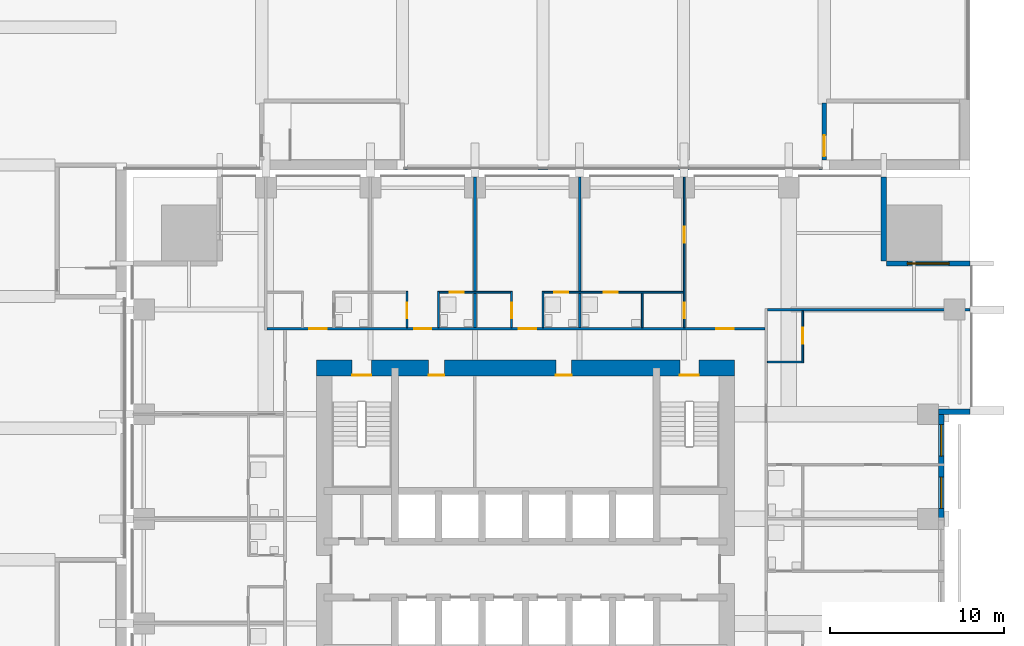
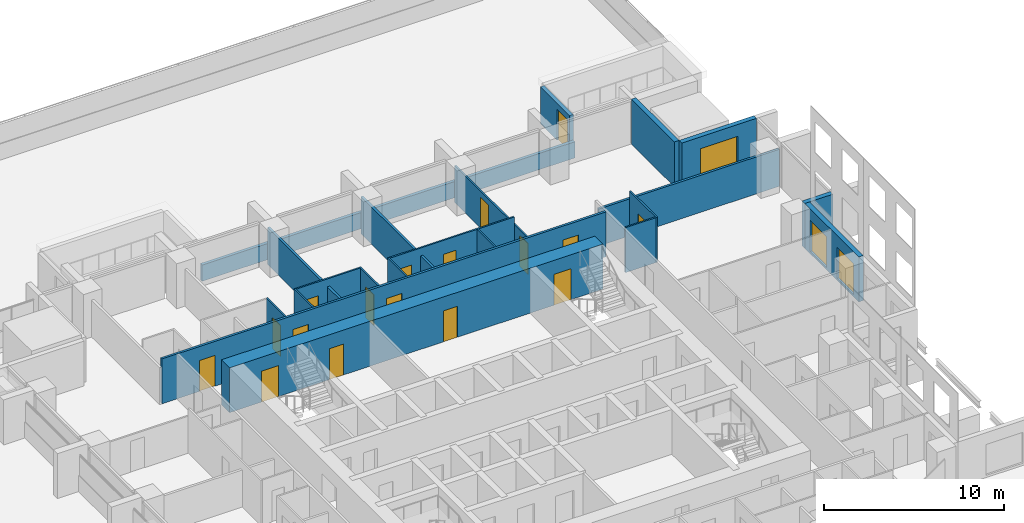
# One storey, part 10 of 15: 21 walls, 17 doors, 3 windows, 20 openings.
"""IFC4 building model written with IfcOpenShell, lengths in metres."""

from ifc_helpers import new_model, si_unit, direction, frame, frame_2d, origin, place, context, subcontext, project, spatial, rectangle, extrude, material, layer, layer_set, type_object, element, fill, save


model = new_model("IFC4")

# Units and contexts
model_context = context("Model", 3, precision=1e-05, world=origin(), true_north=direction((0.0, 1.0)))
body_context = subcontext(model_context, "Body", "Model", "MODEL_VIEW")
ifc_project = project(units=[si_unit("LENGTHUNIT", "METRE"), si_unit("AREAUNIT", "SQUARE_METRE"), si_unit("VOLUMEUNIT", "CUBIC_METRE"), si_unit("PLANEANGLEUNIT", "RADIAN"), si_unit("MASSUNIT", "GRAM", prefix="KILO")], contexts=[model_context])

# Site, building, storey
site_placement = place(None, origin())
site = spatial("IfcSite", under=ifc_project, at=site_placement, CompositionType="ELEMENT")
building_placement = place(site_placement, origin())
building = spatial("IfcBuilding", under=site, at=building_placement, Name="Amberfall Residences", CompositionType="ELEMENT")
storey_placement = place(building_placement, frame((0.0, 0.0, 23.5)))
storey = spatial("IfcBuildingStorey", under=building, at=storey_placement, Name="L05", CompositionType="ELEMENT", Elevation=23.5)

# Wall
ifc_material_1 = material(Name="Pale stone cladding on insulated backing", Category="masonry")
ifc_layer_1 = layer(ifc_material_1, 0.300048828125)
ifc_layer_set_1 = layer_set([ifc_layer_1], Name="Bronze clad wall 300")
wall_type_1 = type_object("IfcWallType", Name="Bronze clad wall 300", PredefinedType="SOLIDWALL", material=ifc_layer_set_1)
wall_1_placement = place(storey_placement, frame((98.199951171875, 54.550048828125, 0.0), z_axis=(0.0, 0.0, 1.0), x_axis=(1.0, 0.0, 0.0)))
element("IfcWall", 1, at=wall_1_placement, inside=storey, type_object=wall_type_1, Name="External wall L05 E", PredefinedType="SOLIDWALL", context=body_context, shape_type="SweptSolid", body=[
    extrude(rectangle(XDim=1.800048828125, YDim=0.300048828125, at=frame_2d((0.89990234375, 0.0))), origin(), (0.0, 0.0, 1.0), 3.050048828125),
])

# Wall, opening, window
wall_2_placement = place(storey_placement, frame((100.0, 63.050048828125, 0.0), z_axis=(0.0, 0.0, 1.0), x_axis=(-1.0, 0.0, 0.0)))
wall_2 = element("IfcWall", 2, at=wall_2_placement, inside=storey, type_object=wall_type_1, Name="External wall L05 NE", PredefinedType="SOLIDWALL", context=body_context, shape_type="SweptSolid", body=[
    extrude(rectangle(XDim=4.800048828125, YDim=0.300048828125, at=frame_2d((2.39990234375, 0.0))), origin(), (0.0, 0.0, 1.0), 3.050048828125),
])
opening_1_placement = place(wall_2_placement, frame((1.199951171875, 0.0, 0.14990234375)))
opening_1 = element("IfcOpeningElement", 3, at=opening_1_placement, cuts=wall_2, Name="Opening WN5", PredefinedType="OPENING", context=body_context, shape_type="SweptSolid", body=[
    extrude(rectangle(XDim=2.39990234375, YDim=2.10009765625, at=frame_2d((1.199951171875, 1.050048828125))), frame((0.0, 0.159912109375, 0.0), z_axis=(0.0, -1.0, 0.0), x_axis=(1.0, 0.0, 0.0)), (0.0, 0.0, 1.0), 0.320068359375),
])
ifc_material_2 = material(Name="Bronze aluminium framed glazing", Category="aluminium")
window_type_1 = type_object("IfcWindowType", Name="Glazed opening 2400 x 2100 bronze", PartitioningType="DOUBLE_PANEL_VERTICAL", PredefinedType="WINDOW", material=ifc_material_2)
window_1_placement = place(opening_1_placement, origin())
window_1 = element("IfcWindow", 4, at=window_1_placement, inside=storey, type_object=window_type_1, Name="Window L05 NE", OverallHeight=2.10009765625, OverallWidth=2.39990234375, PartitioningType="DOUBLE_PANEL_VERTICAL", PredefinedType="WINDOW", context=body_context, shape_type="SweptSolid", body=[
    extrude(rectangle(XDim=2.39990234375, YDim=2.10009765625, at=frame_2d((1.199951171875, 1.050048828125))), frame((0.0, 0.030029296875, 0.0), z_axis=(0.0, -1.0, 0.0), x_axis=(1.0, 0.0, 0.0)), (0.0, 0.0, 1.0), 0.06005859375),
])
fill(opening_1, window_1)

# Wall
wall_3_placement = place(storey_placement, frame((95.050048828125, 63.199951171875, 0.0), z_axis=(0.0, 0.0, 1.0), x_axis=(0.0, 1.0, 0.0)))
element("IfcWall", 5, at=wall_3_placement, inside=storey, type_object=wall_type_1, Name="External wall L05 NE", PredefinedType="SOLIDWALL", context=body_context, shape_type="SweptSolid", body=[
    extrude(rectangle(XDim=4.800048828125, YDim=0.300048828125, at=frame_2d((2.39990234375, 0.0))), origin(), (0.0, 0.0, 1.0), 3.050048828125),
])

# Wall, openings, windows
wall_4_placement = place(storey_placement, frame((98.35009765625, 48.39990234375, 0.0), z_axis=(0.0, 0.0, 1.0), x_axis=(0.0, 1.0, 0.0)))
wall_4 = element("IfcWall", 6, at=wall_4_placement, inside=storey, type_object=wall_type_1, Name="Stone wall L05 E", PredefinedType="SOLIDWALL", context=body_context, shape_type="SweptSolid", body=[
    extrude(rectangle(XDim=6.0, YDim=0.300048828125, at=frame_2d((3.0, 0.0))), origin(), (0.0, 0.0, 1.0), 3.050048828125),
])
opening_2_placement = place(wall_4_placement, frame((0.60009765625, 0.0, 0.14990234375)))
opening_2 = element("IfcOpeningElement", 7, at=opening_2_placement, cuts=wall_4, Name="Opening WN6", PredefinedType="OPENING", context=body_context, shape_type="SweptSolid", body=[
    extrude(rectangle(XDim=1.800048828125, YDim=2.10009765625, at=frame_2d((0.89990234375, 1.050048828125))), frame((0.0, 0.159912109375, 0.0), z_axis=(0.0, -1.0, 0.0), x_axis=(1.0, 0.0, 0.0)), (0.0, 0.0, 1.0), 0.320068359375),
])
opening_3_placement = place(wall_4_placement, frame((3.60009765625, 0.0, 0.14990234375)))
opening_3 = element("IfcOpeningElement", 8, at=opening_3_placement, cuts=wall_4, Name="Opening WN6", PredefinedType="OPENING", context=body_context, shape_type="SweptSolid", body=[
    extrude(rectangle(XDim=1.800048828125, YDim=2.10009765625, at=frame_2d((0.89990234375, 1.050048828125))), frame((0.0, 0.159912109375, 0.0), z_axis=(0.0, -1.0, 0.0), x_axis=(1.0, 0.0, 0.0)), (0.0, 0.0, 1.0), 0.320068359375),
])
window_type_2 = type_object("IfcWindowType", Name="Glazed opening 1800 x 2100 bronze", PartitioningType="DOUBLE_PANEL_VERTICAL", PredefinedType="WINDOW", material=ifc_material_2)
window_2_placement = place(opening_2_placement, origin())
window_2 = element("IfcWindow", 9, at=window_2_placement, inside=storey, type_object=window_type_2, Name="Window L05 E", OverallHeight=2.10009765625, OverallWidth=1.800048828125, PartitioningType="DOUBLE_PANEL_VERTICAL", PredefinedType="WINDOW", context=body_context, shape_type="SweptSolid", body=[
    extrude(rectangle(XDim=1.800048828125, YDim=2.10009765625, at=frame_2d((0.89990234375, 1.050048828125))), frame((0.0, 0.030029296875, 0.0), z_axis=(0.0, -1.0, 0.0), x_axis=(1.0, 0.0, 0.0)), (0.0, 0.0, 1.0), 0.06005859375),
])
fill(opening_2, window_2)
window_3_placement = place(opening_3_placement, origin())
window_3 = element("IfcWindow", 10, at=window_3_placement, inside=storey, type_object=window_type_2, Name="Window L05 E", OverallHeight=2.10009765625, OverallWidth=1.800048828125, PartitioningType="DOUBLE_PANEL_VERTICAL", PredefinedType="WINDOW", context=body_context, shape_type="SweptSolid", body=[
    extrude(rectangle(XDim=1.800048828125, YDim=2.10009765625, at=frame_2d((0.89990234375, 1.050048828125))), frame((0.0, 0.030029296875, 0.0), z_axis=(0.0, -1.0, 0.0), x_axis=(1.0, 0.0, 0.0)), (0.0, 0.0, 1.0), 0.06005859375),
])
fill(opening_3, window_3)

# Wall, openings, doors
ifc_material_3 = material(Name="Concrete C80", Category="concrete")
ifc_layer_2 = layer(ifc_material_3, 0.89990234375)
ifc_layer_set_2 = layer_set([ifc_layer_2], Name="Core wall 900 C80")
wall_type_2 = type_object("IfcWallType", Name="Core wall 900 C80", PredefinedType="SHEAR", material=ifc_layer_set_2)
wall_5_placement = place(storey_placement, frame((62.5, 57.050048828125, 0.0), z_axis=(0.0, 0.0, 1.0), x_axis=(1.0, 0.0, 0.0)))
wall_5 = element("IfcWall", 11, at=wall_5_placement, inside=storey, type_object=wall_type_2, Name="Core wall RW1 L05 ON", PredefinedType="SHEAR", context=body_context, shape_type="SweptSolid", body=[
    extrude(rectangle(XDim=24.0, YDim=0.89990234375, at=frame_2d((12.0, 0.0))), origin(), (0.0, 0.0, 1.0), 3.050048828125),
])
opening_4_placement = place(wall_5_placement, frame((20.85009765625, 0.0, 0.0)))
opening_4 = element("IfcOpeningElement", 12, at=opening_4_placement, cuts=wall_5, Name="Opening SD1", PredefinedType="OPENING", context=body_context, shape_type="SweptSolid", body=[
    extrude(rectangle(XDim=1.10009765625, YDim=2.10009765625, at=frame_2d((0.550048828125, 1.050048828125))), frame((0.0, 0.4599609375, 0.0), z_axis=(0.0, -1.0, 0.0), x_axis=(1.0, 0.0, 0.0)), (0.0, 0.0, 1.0), 0.919921875),
])
opening_5_placement = place(wall_5_placement, frame((2.050048828125, 0.0, 0.0)))
opening_5 = element("IfcOpeningElement", 13, at=opening_5_placement, cuts=wall_5, Name="Opening SD1", PredefinedType="OPENING", context=body_context, shape_type="SweptSolid", body=[
    extrude(rectangle(XDim=1.10009765625, YDim=2.10009765625, at=frame_2d((0.550048828125, 1.050048828125))), frame((0.0, 0.4599609375, 0.0), z_axis=(0.0, -1.0, 0.0), x_axis=(1.0, 0.0, 0.0)), (0.0, 0.0, 1.0), 0.919921875),
])
opening_6_placement = place(wall_5_placement, frame((6.43994140625, 0.0, 0.0)))
opening_6 = element("IfcOpeningElement", 14, at=opening_6_placement, cuts=wall_5, Name="Opening RD1", PredefinedType="OPENING", context=body_context, shape_type="SweptSolid", body=[
    extrude(rectangle(XDim=0.89990234375, YDim=2.10009765625, at=frame_2d((0.449951171875, 1.050048828125))), frame((0.0, 0.4599609375, 0.0), z_axis=(0.0, -1.0, 0.0), x_axis=(1.0, 0.0, 0.0)), (0.0, 0.0, 1.0), 0.919921875),
])
opening_7_placement = place(wall_5_placement, frame((13.739990234375, 0.0, 0.0)))
opening_7 = element("IfcOpeningElement", 15, at=opening_7_placement, cuts=wall_5, Name="Opening RD1", PredefinedType="OPENING", context=body_context, shape_type="SweptSolid", body=[
    extrude(rectangle(XDim=0.89990234375, YDim=2.10009765625, at=frame_2d((0.449951171875, 1.050048828125))), frame((0.0, 0.4599609375, 0.0), z_axis=(0.0, -1.0, 0.0), x_axis=(1.0, 0.0, 0.0)), (0.0, 0.0, 1.0), 0.919921875),
])
ifc_material_4 = material(Name="Steel fire door set", Category="steel")
door_type_1 = type_object("IfcDoorType", Name="Service room door 900 x 2100", OperationType="SINGLE_SWING_LEFT", PredefinedType="DOOR", material=ifc_material_4)
door_1_placement = place(opening_6_placement, origin())
door_1 = element("IfcDoor", 16, at=door_1_placement, inside=storey, type_object=door_type_1, Name="RD1 L05", OperationType="SINGLE_SWING_RIGHT", OverallHeight=2.10009765625, OverallWidth=0.89990234375, PredefinedType="DOOR", context=body_context, shape_type="SweptSolid", body=[
    extrude(rectangle(XDim=0.89990234375, YDim=2.10009765625, at=frame_2d((0.449951171875, 1.050048828125))), frame((0.0, -0.3876953125, 0.0), z_axis=(0.0, -1.0, 0.0), x_axis=(1.0, 0.0, 0.0)), (0.0, 0.0, 1.0), 0.050048828125),
])
fill(opening_6, door_1)
door_2_placement = place(opening_7_placement, origin())
door_2 = element("IfcDoor", 17, at=door_2_placement, inside=storey, type_object=door_type_1, Name="RD1 L05", OperationType="SINGLE_SWING_RIGHT", OverallHeight=2.10009765625, OverallWidth=0.89990234375, PredefinedType="DOOR", context=body_context, shape_type="SweptSolid", body=[
    extrude(rectangle(XDim=0.89990234375, YDim=2.10009765625, at=frame_2d((0.449951171875, 1.050048828125))), frame((0.0, -0.3876953125, 0.0), z_axis=(0.0, -1.0, 0.0), x_axis=(1.0, 0.0, 0.0)), (0.0, 0.0, 1.0), 0.050048828125),
])
fill(opening_7, door_2)
door_type_2 = type_object("IfcDoorType", Name="Stair door 1100 x 2100", OperationType="SINGLE_SWING_LEFT", PredefinedType="DOOR", material=ifc_material_4)
door_3_placement = place(opening_4_placement, origin())
door_3 = element("IfcDoor", 18, at=door_3_placement, inside=storey, type_object=door_type_2, Name="SD1 L05", OperationType="SINGLE_SWING_RIGHT", OverallHeight=2.10009765625, OverallWidth=1.10009765625, PredefinedType="DOOR", context=body_context, shape_type="SweptSolid", body=[
    extrude(rectangle(XDim=1.10009765625, YDim=2.10009765625, at=frame_2d((0.550048828125, 1.050048828125))), frame((0.0, -0.3876953125, 0.0), z_axis=(0.0, -1.0, 0.0), x_axis=(1.0, 0.0, 0.0)), (0.0, 0.0, 1.0), 0.050048828125),
])
fill(opening_4, door_3)
door_4_placement = place(opening_5_placement, origin())
door_4 = element("IfcDoor", 19, at=door_4_placement, inside=storey, type_object=door_type_2, Name="SD1 L05", OperationType="SINGLE_SWING_LEFT", OverallHeight=2.10009765625, OverallWidth=1.10009765625, PredefinedType="DOOR", context=body_context, shape_type="SweptSolid", body=[
    extrude(rectangle(XDim=1.10009765625, YDim=2.10009765625, at=frame_2d((0.550048828125, 1.050048828125))), frame((0.0, -0.3876953125, 0.0), z_axis=(0.0, -1.0, 0.0), x_axis=(1.0, 0.0, 0.0)), (0.0, 0.0, 1.0), 0.050048828125),
])
fill(opening_5, door_4)

# Wall, opening, door
ifc_material_5 = material(Name="Gypsum board on metal stud")
ifc_layer_3 = layer(ifc_material_5, 0.10009765625)
ifc_layer_set_3 = layer_set([ifc_layer_3], Name="Flat partition 100")
wall_type_3 = type_object("IfcWallType", Name="Flat partition 100", PredefinedType="PARTITIONING", material=ifc_layer_set_3)
wall_6_placement = place(storey_placement, frame((67.699951171875, 59.375, 0.0), z_axis=(0.0, 0.0, 1.0), x_axis=(0.0, 1.0, 0.0)))
wall_6 = element("IfcWall", 20, at=wall_6_placement, inside=storey, type_object=wall_type_3, Name="Partition 007", PredefinedType="PARTITIONING", context=body_context, shape_type="SweptSolid", body=[
    extrude(rectangle(XDim=2.074951171875, YDim=0.10009765625, at=frame_2d((1.03759765625, 0.0))), origin(), (0.0, 0.0, 1.0), 3.050048828125),
])
opening_8_placement = place(wall_6_placement, frame((0.52490234375, 0.0, 0.0)))
opening_8 = element("IfcOpeningElement", 21, at=opening_8_placement, cuts=wall_6, Name="Opening D41", PredefinedType="OPENING", context=body_context, shape_type="SweptSolid", body=[
    extrude(rectangle(XDim=0.89990234375, YDim=2.10009765625, at=frame_2d((0.449951171875, 1.050048828125))), frame((0.0, 0.06005859375, 0.0), z_axis=(0.0, -1.0, 0.0), x_axis=(1.0, 0.0, 0.0)), (0.0, 0.0, 1.0), 0.1201171875),
])
ifc_material_6 = material(Name="Timber", Category="wood")
door_type_3 = type_object("IfcDoorType", Name="Internal door 900 x 2100", OperationType="SINGLE_SWING_LEFT", PredefinedType="DOOR", material=ifc_material_6)
door_5_placement = place(opening_8_placement, origin())
door_5 = element("IfcDoor", 22, at=door_5_placement, inside=storey, type_object=door_type_3, Name="Door 0508 kitchen", OperationType="SINGLE_SWING_LEFT", OverallHeight=2.10009765625, OverallWidth=0.89990234375, PredefinedType="DOOR", context=body_context, shape_type="SweptSolid", body=[
    extrude(rectangle(XDim=0.89990234375, YDim=2.10009765625, at=frame_2d((0.449951171875, 1.050048828125))), frame((0.0, 0.02490234375, 0.0), z_axis=(0.0, -1.0, 0.0), x_axis=(1.0, 0.0, 0.0)), (0.0, 0.0, 1.0), 0.050048828125),
])
fill(opening_8, door_5)

# Wall
wall_7_placement = place(storey_placement, frame((69.5, 59.375, 0.0), z_axis=(0.0, 0.0, 1.0), x_axis=(0.0, 1.0, 0.0)))
element("IfcWall", 23, at=wall_7_placement, inside=storey, type_object=wall_type_3, Name="Partition 009", PredefinedType="PARTITIONING", context=body_context, shape_type="SweptSolid", body=[
    extrude(rectangle(XDim=2.074951171875, YDim=0.10009765625, at=frame_2d((1.03759765625, 0.0))), origin(), (0.0, 0.0, 1.0), 3.050048828125),
])

# Wall, opening, door
wall_8_placement = place(storey_placement, frame((73.699951171875, 59.375, 0.0), z_axis=(0.0, 0.0, 1.0), x_axis=(0.0, 1.0, 0.0)))
wall_8 = element("IfcWall", 24, at=wall_8_placement, inside=storey, type_object=wall_type_3, Name="Partition 011", PredefinedType="PARTITIONING", context=body_context, shape_type="SweptSolid", body=[
    extrude(rectangle(XDim=2.074951171875, YDim=0.10009765625, at=frame_2d((1.03759765625, 0.0))), origin(), (0.0, 0.0, 1.0), 3.050048828125),
])
opening_9_placement = place(wall_8_placement, frame((0.52490234375, 0.0, 0.0)))
opening_9 = element("IfcOpeningElement", 25, at=opening_9_placement, cuts=wall_8, Name="Opening D41", PredefinedType="OPENING", context=body_context, shape_type="SweptSolid", body=[
    extrude(rectangle(XDim=0.89990234375, YDim=2.10009765625, at=frame_2d((0.449951171875, 1.050048828125))), frame((0.0, 0.06005859375, 0.0), z_axis=(0.0, -1.0, 0.0), x_axis=(1.0, 0.0, 0.0)), (0.0, 0.0, 1.0), 0.1201171875),
])
door_6_placement = place(opening_9_placement, origin())
door_6 = element("IfcDoor", 26, at=door_6_placement, inside=storey, type_object=door_type_3, Name="Door 0509 kitchen", OperationType="SINGLE_SWING_LEFT", OverallHeight=2.10009765625, OverallWidth=0.89990234375, PredefinedType="DOOR", context=body_context, shape_type="SweptSolid", body=[
    extrude(rectangle(XDim=0.89990234375, YDim=2.10009765625, at=frame_2d((0.449951171875, 1.050048828125))), frame((0.0, 0.02490234375, 0.0), z_axis=(0.0, -1.0, 0.0), x_axis=(1.0, 0.0, 0.0)), (0.0, 0.0, 1.0), 0.050048828125),
])
fill(opening_9, door_6)

# Walls
wall_9_placement = place(storey_placement, frame((75.5, 59.375, 0.0), z_axis=(0.0, 0.0, 1.0), x_axis=(0.0, 1.0, 0.0)))
element("IfcWall", 27, at=wall_9_placement, inside=storey, type_object=wall_type_3, Name="Partition 012", PredefinedType="PARTITIONING", context=body_context, shape_type="SweptSolid", body=[
    extrude(rectangle(XDim=2.074951171875, YDim=0.10009765625, at=frame_2d((1.03759765625, 0.0))), origin(), (0.0, 0.0, 1.0), 3.050048828125),
])
wall_10_placement = place(storey_placement, frame((81.199951171875, 59.375, 0.0), z_axis=(0.0, 0.0, 1.0), x_axis=(0.0, 1.0, 0.0)))
element("IfcWall", 28, at=wall_10_placement, inside=storey, type_object=wall_type_3, Name="Partition 015", PredefinedType="PARTITIONING", context=body_context, shape_type="SweptSolid", body=[
    extrude(rectangle(XDim=1.97509765625, YDim=0.10009765625, at=frame_2d((0.987548828125, 0.0))), origin(), (0.0, 0.0, 1.0), 3.050048828125),
])

# Wall, openings, doors
wall_11_placement = place(storey_placement, frame((83.60009765625, 59.375, 0.0), z_axis=(0.0, 0.0, 1.0), x_axis=(0.0, 1.0, 0.0)))
wall_11 = element("IfcWall", 29, at=wall_11_placement, inside=storey, type_object=wall_type_3, Name="Partition 016", PredefinedType="PARTITIONING", context=body_context, shape_type="SweptSolid", body=[
    extrude(rectangle(XDim=8.625, YDim=0.10009765625, at=frame_2d((4.3125, 0.0))), origin(), (0.0, 0.0, 1.0), 2.51611328125),
])
opening_10_placement = place(wall_11_placement, frame((0.52490234375, 0.0, 0.0)))
opening_10 = element("IfcOpeningElement", 30, at=opening_10_placement, cuts=wall_11, Name="Opening D41", PredefinedType="OPENING", context=body_context, shape_type="SweptSolid", body=[
    extrude(rectangle(XDim=0.89990234375, YDim=2.10009765625, at=frame_2d((0.449951171875, 1.050048828125))), frame((0.0, 0.06005859375, 0.0), z_axis=(0.0, -1.0, 0.0), x_axis=(1.0, 0.0, 0.0)), (0.0, 0.0, 1.0), 0.1201171875),
])
opening_11_placement = place(wall_11_placement, frame((4.875, 0.0, 0.0)))
opening_11 = element("IfcOpeningElement", 31, at=opening_11_placement, cuts=wall_11, Name="Opening D41", PredefinedType="OPENING", context=body_context, shape_type="SweptSolid", body=[
    extrude(rectangle(XDim=0.89990234375, YDim=2.10009765625, at=frame_2d((0.449951171875, 1.050048828125))), frame((0.0, 0.06005859375, 0.0), z_axis=(0.0, -1.0, 0.0), x_axis=(1.0, 0.0, 0.0)), (0.0, 0.0, 1.0), 0.1201171875),
])
door_7_placement = place(opening_10_placement, origin())
door_7 = element("IfcDoor", 32, at=door_7_placement, inside=storey, type_object=door_type_3, Name="Door 0510 kitchen", OperationType="SINGLE_SWING_LEFT", OverallHeight=2.10009765625, OverallWidth=0.89990234375, PredefinedType="DOOR", context=body_context, shape_type="SweptSolid", body=[
    extrude(rectangle(XDim=0.89990234375, YDim=2.10009765625, at=frame_2d((0.449951171875, 1.050048828125))), frame((0.0, 0.02490234375, 0.0), z_axis=(0.0, -1.0, 0.0), x_axis=(1.0, 0.0, 0.0)), (0.0, 0.0, 1.0), 0.050048828125),
])
fill(opening_10, door_7)
door_8_placement = place(opening_11_placement, origin())
door_8 = element("IfcDoor", 33, at=door_8_placement, inside=storey, type_object=door_type_3, Name="Door 0510 bedroom1", OperationType="SINGLE_SWING_LEFT", OverallHeight=2.10009765625, OverallWidth=0.89990234375, PredefinedType="DOOR", context=body_context, shape_type="SweptSolid", body=[
    extrude(rectangle(XDim=0.89990234375, YDim=2.10009765625, at=frame_2d((0.449951171875, 1.050048828125))), frame((0.0, 0.02490234375, 0.0), z_axis=(0.0, -1.0, 0.0), x_axis=(1.0, 0.0, 0.0)), (0.0, 0.0, 1.0), 0.050048828125),
])
fill(opening_11, door_8)

# Wall, opening, door
wall_12_placement = place(storey_placement, frame((90.39990234375, 57.35009765625, 0.0), z_axis=(0.0, 0.0, 1.0), x_axis=(0.0, 1.0, 0.0)))
wall_12 = element("IfcWall", 34, at=wall_12_placement, inside=storey, type_object=wall_type_3, Name="Partition 022", PredefinedType="PARTITIONING", context=body_context, shape_type="SweptSolid", body=[
    extrude(rectangle(XDim=2.974853515625, YDim=0.10009765625, at=frame_2d((1.4873046875, 0.0))), origin(), (0.0, 0.0, 1.0), 3.050048828125),
])
opening_12_placement = place(wall_12_placement, frame((1.10009765625, 0.0, 0.0)))
opening_12 = element("IfcOpeningElement", 35, at=opening_12_placement, cuts=wall_12, Name="Opening D41", PredefinedType="OPENING", context=body_context, shape_type="SweptSolid", body=[
    extrude(rectangle(XDim=0.89990234375, YDim=2.10009765625, at=frame_2d((0.449951171875, 1.050048828125))), frame((0.0, 0.06005859375, 0.0), z_axis=(0.0, -1.0, 0.0), x_axis=(1.0, 0.0, 0.0)), (0.0, 0.0, 1.0), 0.1201171875),
])
door_9_placement = place(opening_12_placement, origin())
door_9 = element("IfcDoor", 36, at=door_9_placement, inside=storey, type_object=door_type_3, Name="Door 0506 kitchen", OperationType="SINGLE_SWING_LEFT", OverallHeight=2.10009765625, OverallWidth=0.89990234375, PredefinedType="DOOR", context=body_context, shape_type="SweptSolid", body=[
    extrude(rectangle(XDim=0.89990234375, YDim=2.10009765625, at=frame_2d((0.449951171875, 1.050048828125))), frame((0.0, 0.02490234375, 0.0), z_axis=(0.0, -1.0, 0.0), x_axis=(1.0, 0.0, 0.0)), (0.0, 0.0, 1.0), 0.050048828125),
])
fill(opening_12, door_9)

wall_13_placement = place(storey_placement, frame((73.64990234375, 61.39990234375, 0.0), z_axis=(0.0, 0.0, 1.0), x_axis=(-1.0, 0.0, 0.0)))
wall_13 = element("IfcWall", 37, at=wall_13_placement, inside=storey, type_object=wall_type_3, Name="Partition 025", PredefinedType="PARTITIONING", context=body_context, shape_type="SweptSolid", body=[
    extrude(rectangle(XDim=4.099853515625, YDim=0.10009765625, at=frame_2d((2.0498046875, 0.0))), origin(), (0.0, 0.0, 1.0), 3.050048828125),
])
opening_13_placement = place(wall_13_placement, frame((2.699951171875, 0.0, 0.0)))
opening_13 = element("IfcOpeningElement", 38, at=opening_13_placement, cuts=wall_13, Name="Opening D42", PredefinedType="OPENING", context=body_context, shape_type="SweptSolid", body=[
    extrude(rectangle(XDim=0.800048828125, YDim=2.10009765625, at=frame_2d((0.39990234375, 1.050048828125))), frame((0.0, 0.06005859375, 0.0), z_axis=(0.0, -1.0, 0.0), x_axis=(1.0, 0.0, 0.0)), (0.0, 0.0, 1.0), 0.1201171875),
])
door_type_4 = type_object("IfcDoorType", Name="Bathroom door 800 x 2100", OperationType="SINGLE_SWING_LEFT", PredefinedType="DOOR", material=ifc_material_6)
door_10_placement = place(opening_13_placement, origin())
door_10 = element("IfcDoor", 39, at=door_10_placement, inside=storey, type_object=door_type_4, Name="Door 0508 bath1", OperationType="SINGLE_SWING_LEFT", OverallHeight=2.10009765625, OverallWidth=0.800048828125, PredefinedType="DOOR", context=body_context, shape_type="SweptSolid", body=[
    extrude(rectangle(XDim=0.800048828125, YDim=2.10009765625, at=frame_2d((0.39990234375, 1.050048828125))), frame((0.0, 0.02490234375, 0.0), z_axis=(0.0, -1.0, 0.0), x_axis=(1.0, 0.0, 0.0)), (0.0, 0.0, 1.0), 0.050048828125),
])
fill(opening_13, door_10)

# Wall, openings, doors
wall_14_placement = place(storey_placement, frame((83.550048828125, 61.39990234375, 0.0), z_axis=(0.0, 0.0, 1.0), x_axis=(-1.0, 0.0, 0.0)))
wall_14 = element("IfcWall", 40, at=wall_14_placement, inside=storey, type_object=wall_type_3, Name="Partition 026", PredefinedType="PARTITIONING", context=body_context, shape_type="SweptSolid", body=[
    extrude(rectangle(XDim=8.0, YDim=0.10009765625, at=frame_2d((4.0, 0.0))), origin(), (0.0, 0.0, 1.0), 3.050048828125),
])
opening_14_placement = place(wall_14_placement, frame((6.60009765625, 0.0, 0.0)))
opening_14 = element("IfcOpeningElement", 41, at=opening_14_placement, cuts=wall_14, Name="Opening D42", PredefinedType="OPENING", context=body_context, shape_type="SweptSolid", body=[
    extrude(rectangle(XDim=0.800048828125, YDim=2.10009765625, at=frame_2d((0.39990234375, 1.050048828125))), frame((0.0, 0.06005859375, 0.0), z_axis=(0.0, -1.0, 0.0), x_axis=(1.0, 0.0, 0.0)), (0.0, 0.0, 1.0), 0.1201171875),
])
opening_15_placement = place(wall_14_placement, frame((3.75, 0.0, 0.0)))
opening_15 = element("IfcOpeningElement", 42, at=opening_15_placement, cuts=wall_14, Name="Opening D42", PredefinedType="OPENING", context=body_context, shape_type="SweptSolid", body=[
    extrude(rectangle(XDim=0.800048828125, YDim=2.10009765625, at=frame_2d((0.39990234375, 1.050048828125))), frame((0.0, 0.06005859375, 0.0), z_axis=(0.0, -1.0, 0.0), x_axis=(1.0, 0.0, 0.0)), (0.0, 0.0, 1.0), 0.1201171875),
])
door_11_placement = place(opening_14_placement, origin())
door_11 = element("IfcDoor", 43, at=door_11_placement, inside=storey, type_object=door_type_4, Name="Door 0509 bath1", OperationType="SINGLE_SWING_LEFT", OverallHeight=2.10009765625, OverallWidth=0.800048828125, PredefinedType="DOOR", context=body_context, shape_type="SweptSolid", body=[
    extrude(rectangle(XDim=0.800048828125, YDim=2.10009765625, at=frame_2d((0.39990234375, 1.050048828125))), frame((0.0, 0.02490234375, 0.0), z_axis=(0.0, -1.0, 0.0), x_axis=(1.0, 0.0, 0.0)), (0.0, 0.0, 1.0), 0.050048828125),
])
fill(opening_14, door_11)
door_12_placement = place(opening_15_placement, origin())
door_12 = element("IfcDoor", 44, at=door_12_placement, inside=storey, type_object=door_type_4, Name="Door 0510 bath1", OperationType="SINGLE_SWING_LEFT", OverallHeight=2.10009765625, OverallWidth=0.800048828125, PredefinedType="DOOR", context=body_context, shape_type="SweptSolid", body=[
    extrude(rectangle(XDim=0.800048828125, YDim=2.10009765625, at=frame_2d((0.39990234375, 1.050048828125))), frame((0.0, 0.02490234375, 0.0), z_axis=(0.0, -1.0, 0.0), x_axis=(1.0, 0.0, 0.0)), (0.0, 0.0, 1.0), 0.050048828125),
])
fill(opening_15, door_12)

# Walls
wall_15_placement = place(storey_placement, frame((88.375, 57.39990234375, 0.0), z_axis=(0.0, 0.0, 1.0), x_axis=(1.0, 0.0, 0.0)))
element("IfcWall", 45, at=wall_15_placement, inside=storey, type_object=wall_type_3, Name="Partition 027", PredefinedType="PARTITIONING", context=body_context, shape_type="SweptSolid", body=[
    extrude(rectangle(XDim=1.97509765625, YDim=0.10009765625, at=frame_2d((0.987548828125, 0.0))), origin(), (0.0, 0.0, 1.0), 3.050048828125),
])
ifc_material_7 = material(Name="Blockwork, plastered", Category="masonry")
ifc_layer_4 = layer(ifc_material_7, 0.14990234375)
ifc_layer_set_4 = layer_set([ifc_layer_4], Name="Flat separating wall 150")
wall_type_4 = type_object("IfcWallType", Name="Flat separating wall 150", PredefinedType="PARTITIONING", material=ifc_layer_set_4)
for number, where, z_axis, x_axis, name in (
    (46, (71.60009765625, 59.375, 0.0), (0.0, 0.0, 1.0), (0.0, 1.0, 0.0), "Separating wall 047"),
    (47, (77.60009765625, 59.375, 0.0), (0.0, 0.0, 1.0), (0.0, 1.0, 0.0), "Separating wall 049"),
):
    element("IfcWall", number, at=place(storey_placement, frame(where, z_axis=z_axis, x_axis=x_axis)), inside=storey, type_object=wall_type_4, Name=name, PredefinedType="PARTITIONING", context=body_context, shape_type="SweptSolid", body=[
        extrude(rectangle(XDim=8.625, YDim=0.14990234375, at=frame_2d((4.3125, 0.0))), origin(), (0.0, 0.0, 1.0), 2.51611328125),
    ])
wall_16_placement = place(storey_placement, frame((88.375, 60.39990234375, 0.0), z_axis=(0.0, 0.0, 1.0), x_axis=(1.0, 0.0, 0.0)))
element("IfcWall", 48, at=wall_16_placement, inside=storey, type_object=wall_type_4, Name="Separating wall 053", PredefinedType="PARTITIONING", context=body_context, shape_type="SweptSolid", body=[
    extrude(rectangle(XDim=11.625, YDim=0.14990234375, at=frame_2d((5.8125, 0.0))), origin(), (0.0, 0.0, 1.0), 2.51611328125),
])

# Wall, openings, doors
wall_17_placement = place(storey_placement, frame((59.675048828125, 59.300048828125, 0.0), z_axis=(0.0, 0.0, 1.0), x_axis=(1.0, 0.0, 0.0)))
wall_17 = element("IfcWall", 49, at=wall_17_placement, inside=storey, type_object=wall_type_4, Name="Separating wall 054", PredefinedType="PARTITIONING", context=body_context, shape_type="SweptSolid", body=[
    extrude(rectangle(XDim=28.550048828125, YDim=0.14990234375, at=frame_2d((14.27490234375, 0.0))), origin(), (0.0, 0.0, 1.0), 3.050048828125),
])
opening_16_placement = place(wall_17_placement, frame((2.425048828125, 0.0, 0.0)))
opening_16 = element("IfcOpeningElement", 50, at=opening_16_placement, cuts=wall_17, Name="Opening D40", PredefinedType="OPENING", context=body_context, shape_type="SweptSolid", body=[
    extrude(rectangle(XDim=1.0, YDim=2.10009765625, at=frame_2d((0.5, 1.050048828125))), frame((0.0, 0.0849609375, 0.0), z_axis=(0.0, -1.0, 0.0), x_axis=(1.0, 0.0, 0.0)), (0.0, 0.0, 1.0), 0.169921875),
])
opening_17_placement = place(wall_17_placement, frame((8.425048828125, 0.0, 0.0)))
opening_17 = element("IfcOpeningElement", 51, at=opening_17_placement, cuts=wall_17, Name="Opening D40", PredefinedType="OPENING", context=body_context, shape_type="SweptSolid", body=[
    extrude(rectangle(XDim=1.0, YDim=2.10009765625, at=frame_2d((0.5, 1.050048828125))), frame((0.0, 0.0849609375, 0.0), z_axis=(0.0, -1.0, 0.0), x_axis=(1.0, 0.0, 0.0)), (0.0, 0.0, 1.0), 0.169921875),
])
opening_18_placement = place(wall_17_placement, frame((14.425048828125, 0.0, 0.0)))
opening_18 = element("IfcOpeningElement", 52, at=opening_18_placement, cuts=wall_17, Name="Opening D40", PredefinedType="OPENING", context=body_context, shape_type="SweptSolid", body=[
    extrude(rectangle(XDim=1.0, YDim=2.10009765625, at=frame_2d((0.5, 1.050048828125))), frame((0.0, 0.0849609375, 0.0), z_axis=(0.0, -1.0, 0.0), x_axis=(1.0, 0.0, 0.0)), (0.0, 0.0, 1.0), 0.169921875),
])
opening_19_placement = place(wall_17_placement, frame((25.77490234375, 0.0, 0.0)))
opening_19 = element("IfcOpeningElement", 53, at=opening_19_placement, cuts=wall_17, Name="Opening D40", PredefinedType="OPENING", context=body_context, shape_type="SweptSolid", body=[
    extrude(rectangle(XDim=1.0, YDim=2.10009765625, at=frame_2d((0.5, 1.050048828125))), frame((0.0, 0.0849609375, 0.0), z_axis=(0.0, -1.0, 0.0), x_axis=(1.0, 0.0, 0.0)), (0.0, 0.0, 1.0), 0.169921875),
])
ifc_material_8 = material(Name="Timber, fire-rated", Category="wood")
door_type_5 = type_object("IfcDoorType", Name="Flat entrance door FD60 1000 x 2100", OperationType="SINGLE_SWING_LEFT", PredefinedType="DOOR", material=ifc_material_8)
door_13_placement = place(opening_16_placement, origin())
door_13 = element("IfcDoor", 54, at=door_13_placement, inside=storey, type_object=door_type_5, Name="Door 0507 entrance", OperationType="SINGLE_SWING_LEFT", OverallHeight=2.10009765625, OverallWidth=1.0, PredefinedType="DOOR", context=body_context, shape_type="SweptSolid", body=[
    extrude(rectangle(XDim=1.0, YDim=2.10009765625, at=frame_2d((0.5, 1.050048828125))), frame((0.0, 0.02490234375, 0.0), z_axis=(0.0, -1.0, 0.0), x_axis=(1.0, 0.0, 0.0)), (0.0, 0.0, 1.0), 0.050048828125),
])
fill(opening_16, door_13)
door_14_placement = place(opening_17_placement, origin())
door_14 = element("IfcDoor", 55, at=door_14_placement, inside=storey, type_object=door_type_5, Name="Door 0508 entrance", OperationType="SINGLE_SWING_LEFT", OverallHeight=2.10009765625, OverallWidth=1.0, PredefinedType="DOOR", context=body_context, shape_type="SweptSolid", body=[
    extrude(rectangle(XDim=1.0, YDim=2.10009765625, at=frame_2d((0.5, 1.050048828125))), frame((0.0, 0.02490234375, 0.0), z_axis=(0.0, -1.0, 0.0), x_axis=(1.0, 0.0, 0.0)), (0.0, 0.0, 1.0), 0.050048828125),
])
fill(opening_17, door_14)
door_15_placement = place(opening_18_placement, origin())
door_15 = element("IfcDoor", 56, at=door_15_placement, inside=storey, type_object=door_type_5, Name="Door 0509 entrance", OperationType="SINGLE_SWING_LEFT", OverallHeight=2.10009765625, OverallWidth=1.0, PredefinedType="DOOR", context=body_context, shape_type="SweptSolid", body=[
    extrude(rectangle(XDim=1.0, YDim=2.10009765625, at=frame_2d((0.5, 1.050048828125))), frame((0.0, 0.02490234375, 0.0), z_axis=(0.0, -1.0, 0.0), x_axis=(1.0, 0.0, 0.0)), (0.0, 0.0, 1.0), 0.050048828125),
])
fill(opening_18, door_15)
door_16_placement = place(opening_19_placement, origin())
door_16 = element("IfcDoor", 57, at=door_16_placement, inside=storey, type_object=door_type_5, Name="Door 0510 entrance", OperationType="SINGLE_SWING_LEFT", OverallHeight=2.10009765625, OverallWidth=1.0, PredefinedType="DOOR", context=body_context, shape_type="SweptSolid", body=[
    extrude(rectangle(XDim=1.0, YDim=2.10009765625, at=frame_2d((0.5, 1.050048828125))), frame((0.0, 0.02490234375, 0.0), z_axis=(0.0, -1.0, 0.0), x_axis=(1.0, 0.0, 0.0)), (0.0, 0.0, 1.0), 0.050048828125),
])
fill(opening_19, door_16)

# Wall
ifc_material_9 = material(Name="Brick masonry", Category="masonry")
ifc_layer_5 = layer(ifc_material_9, 0.199951171875)
ifc_layer_set_5 = layer_set([ifc_layer_5], Name="School roof parapet 200")
wall_type_5 = type_object("IfcWallType", Name="School roof parapet 200", PredefinedType="PARAPET", material=ifc_layer_set_5)
wall_18_placement = place(storey_placement, frame((67.55810546875, 68.5, 0.0), z_axis=(0.0, 0.0, 1.0), x_axis=(1.0, 0.0, 0.0)))
element("IfcWall", 58, at=wall_18_placement, inside=storey, type_object=wall_type_5, Name="School roof parapet", PredefinedType="PARAPET", context=body_context, shape_type="SweptSolid", body=[
    extrude(rectangle(XDim=23.949951171875, YDim=0.199951171875, at=frame_2d((11.97509765625, 0.0))), origin(), (0.0, 0.0, 1.0), 1.10009765625),
])

# Wall, opening, door
ifc_material_10 = material(Name="Concrete C50", Category="concrete")
ifc_layer_6 = layer(ifc_material_10, 0.25)
ifc_layer_set_6 = layer_set([ifc_layer_6], Name="School stair core wall 250 C50")
wall_type_6 = type_object("IfcWallType", Name="School stair core wall 250 C50", PredefinedType="SHEAR", material=ifc_layer_set_6)
wall_19_placement = place(storey_placement, frame((91.633056640625, 69.0, 0.0), z_axis=(0.0, 0.0, 1.0), x_axis=(0.0, 1.0, 0.0)))
wall_19 = element("IfcWall", 59, at=wall_19_placement, inside=storey, type_object=wall_type_6, Name="School stair head house wall SS5W", PredefinedType="SHEAR", context=body_context, shape_type="SweptSolid", body=[
    extrude(rectangle(XDim=3.25, YDim=0.25, at=frame_2d((1.625, 0.0))), origin(), (0.0, 0.0, 1.0), 2.5),
])
opening_20_placement = place(wall_19_placement, frame((0.199951171875, 0.0, 0.0)))
opening_20 = element("IfcOpeningElement", 60, at=opening_20_placement, cuts=wall_19, Name="Opening SD4", PredefinedType="OPENING", context=body_context, shape_type="SweptSolid", body=[
    extrude(rectangle(XDim=1.199951171875, YDim=2.10009765625, at=frame_2d((0.60009765625, 1.050048828125))), frame((0.0, 0.135009765625, 0.0), z_axis=(0.0, -1.0, 0.0), x_axis=(1.0, 0.0, 0.0)), (0.0, 0.0, 1.0), 0.27001953125),
])
ifc_material_11 = material(Name="Steel fire door", Category="steel")
door_type_6 = type_object("IfcDoorType", Name="School stair door 1200 x 2100 FD120", OperationType="SINGLE_SWING_LEFT", PredefinedType="DOOR", material=ifc_material_11)
door_17_placement = place(opening_20_placement, origin())
door_17 = element("IfcDoor", 61, at=door_17_placement, inside=storey, type_object=door_type_6, Name="School stair head door SS5", OperationType="SINGLE_SWING_LEFT", OverallHeight=2.10009765625, OverallWidth=1.199951171875, PredefinedType="DOOR", context=body_context, shape_type="SweptSolid", body=[
    extrude(rectangle(XDim=1.199951171875, YDim=2.10009765625, at=frame_2d((0.60009765625, 1.050048828125))), frame((0.0, 0.02490234375, 0.0), z_axis=(0.0, -1.0, 0.0), x_axis=(1.0, 0.0, 0.0)), (0.0, 0.0, 1.0), 0.050048828125),
])
fill(opening_20, door_17)

save(model, "model.ifc")
